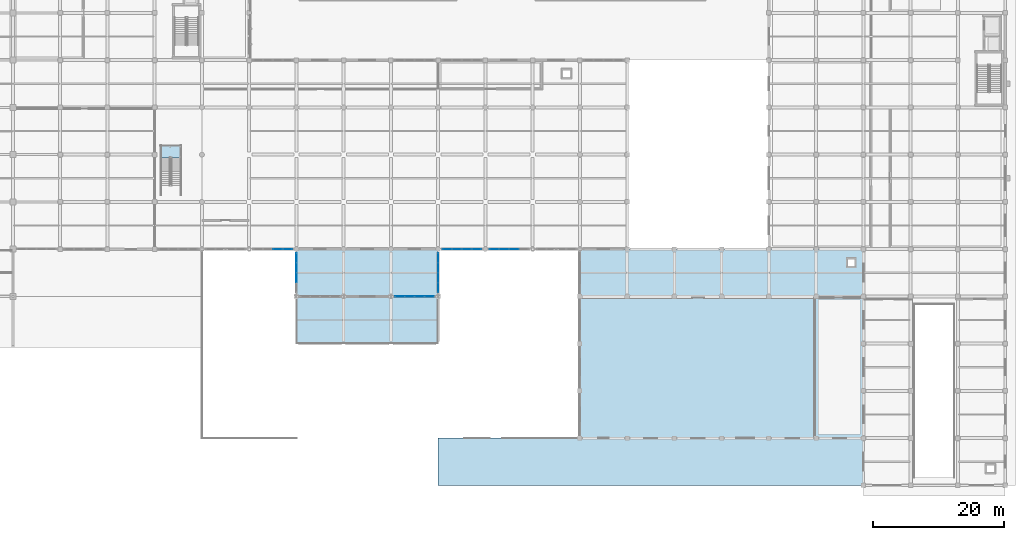
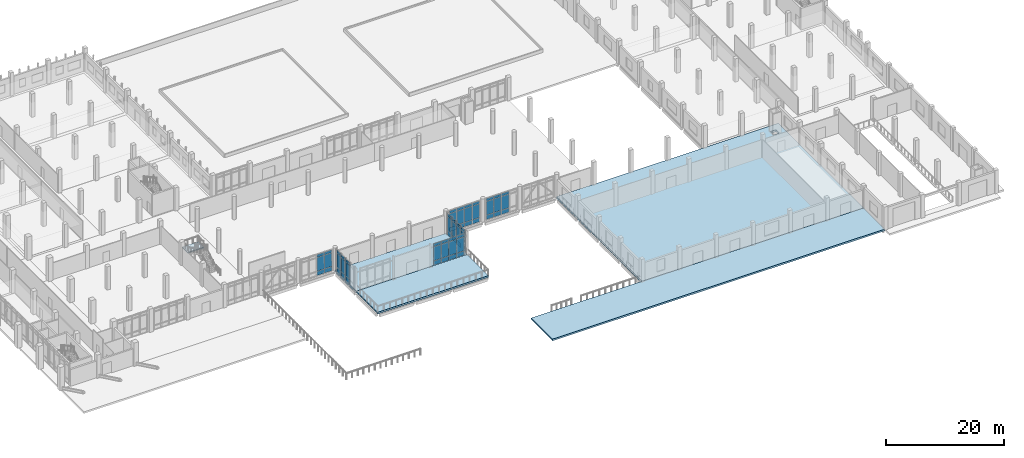
# One storey, part 29 of 59: 60 plates, 5 slabs, 7 elements without a shape of their own.
"""IFC4 building model written with IfcOpenShell, lengths in metres."""

from ifc_helpers import new_model, si_unit, direction, frame, origin, origin_2d, place, context, subcontext, project, spatial, polyline, rectangle, outline, extrude, material, layer, layer_set, type_object, element, aggregate, save


model = new_model("IFC4")

# Units and contexts
model_context = context("Model", 3, precision=1e-05, world=origin(), true_north=direction((0.0, 1.0)))
body_context = subcontext(model_context, "Body", "Model", "MODEL_VIEW")
ifc_project = project(units=[si_unit("LENGTHUNIT", "METRE"), si_unit("AREAUNIT", "SQUARE_METRE"), si_unit("VOLUMEUNIT", "CUBIC_METRE"), si_unit("PLANEANGLEUNIT", "RADIAN"), si_unit("MASSUNIT", "GRAM", prefix="KILO")], contexts=[model_context])

# Site, building, storey
site_placement = place(None, origin())
site = spatial("IfcSite", under=ifc_project, at=site_placement, CompositionType="ELEMENT")
building_placement = place(site_placement, origin())
building = spatial("IfcBuilding", under=site, at=building_placement, Name="Valkovuoma Quantum and Materials Research Institute", CompositionType="ELEMENT")
storey_placement = place(building_placement, origin())
storey = spatial("IfcBuildingStorey", under=building, at=storey_placement, Name="L00", CompositionType="ELEMENT", Elevation=0.0)

# Curtain wall, plates
ifc_material_1 = material(Name="Thermally broken aluminium and triple low-E glazing", Category="aluminium")
ifc_layer_1 = layer(ifc_material_1, 0.219970703125)
ifc_layer_set_1 = layer_set([ifc_layer_1], Name="Thermally broken aluminium and triple low-E glazing")
curtain_wall_type_1 = type_object("IfcCurtainWallType", Name="CW-CW-04", PredefinedType="NOTDEFINED", material=ifc_layer_set_1)
curtain_wall_1_placement = place(storey_placement, origin())
curtain_wall_1 = element("IfcCurtainWall", 1, at=curtain_wall_1_placement, inside=storey, type_object=curtain_wall_type_1, Name="L00 curtain wall 144", PredefinedType="NOTDEFINED")
ifc_material_2 = material(Name="Triple low-E argon insulating glass", Category="glass")
ifc_layer_2 = layer(ifc_material_2, 0.035888671875)
ifc_layer_set_2 = layer_set([ifc_layer_2], Name="Triple low-E argon insulating glass")
plate_type_1 = type_object("IfcPlateType", Name="CWPanel-CWP-01", PredefinedType="CURTAIN_PANEL", material=ifc_layer_set_2)
plate_1_placement = place(storey_placement, frame((73.351318359375, 28.800048828125, 0.06494140625), z_axis=(0.0, 0.0, 1.0), x_axis=(1.0, 0.0, 0.0)))
plate_1 = element("IfcPlate", 2, at=plate_1_placement, type_object=plate_type_1, Name="CW-04 panel 1.1", PredefinedType="CURTAIN_PANEL", context=body_context, shape_type="SweptSolid", body=[
    extrude(rectangle(XDim=1.41259765625, YDim=0.035888671875, at=origin_2d()), origin(), (0.0, 0.0, 1.0), 0.8525390625),
])
plate_2_placement = place(storey_placement, frame((73.351318359375, 28.800048828125, 0.982421875), z_axis=(0.0, 0.0, 1.0), x_axis=(1.0, 0.0, 0.0)))
plate_2 = element("IfcPlate", 3, at=plate_2_placement, type_object=plate_type_1, Name="CW-04 panel 1.2", PredefinedType="CURTAIN_PANEL", context=body_context, shape_type="SweptSolid", body=[
    extrude(rectangle(XDim=1.41259765625, YDim=0.035888671875, at=origin_2d()), origin(), (0.0, 0.0, 1.0), 2.885009765625),
])
plate_3_placement = place(storey_placement, frame((73.351318359375, 28.800048828125, 3.9326171875), z_axis=(0.0, 0.0, 1.0), x_axis=(1.0, 0.0, 0.0)))
plate_3 = element("IfcPlate", 4, at=plate_3_placement, type_object=plate_type_1, Name="CW-04 panel 1.3", PredefinedType="CURTAIN_PANEL", context=body_context, shape_type="SweptSolid", body=[
    extrude(rectangle(XDim=1.41259765625, YDim=0.035888671875, at=origin_2d()), origin(), (0.0, 0.0, 1.0), 0.552490234375),
])
plate_4_placement = place(storey_placement, frame((74.844970703125, 28.800048828125, 0.06494140625), z_axis=(0.0, 0.0, 1.0), x_axis=(1.0, 0.0, 0.0)))
plate_4 = element("IfcPlate", 5, at=plate_4_placement, type_object=plate_type_1, Name="CW-04 panel 2.1", PredefinedType="CURTAIN_PANEL", context=body_context, shape_type="SweptSolid", body=[
    extrude(rectangle(XDim=1.445068359375, YDim=0.035888671875, at=origin_2d()), origin(), (0.0, 0.0, 1.0), 0.8525390625),
])
plate_5_placement = place(storey_placement, frame((74.844970703125, 28.800048828125, 0.982421875), z_axis=(0.0, 0.0, 1.0), x_axis=(1.0, 0.0, 0.0)))
plate_5 = element("IfcPlate", 6, at=plate_5_placement, type_object=plate_type_1, Name="CW-04 panel 2.2", PredefinedType="CURTAIN_PANEL", context=body_context, shape_type="SweptSolid", body=[
    extrude(rectangle(XDim=1.445068359375, YDim=0.035888671875, at=origin_2d()), origin(), (0.0, 0.0, 1.0), 2.885009765625),
])
plate_6_placement = place(storey_placement, frame((74.844970703125, 28.800048828125, 3.9326171875), z_axis=(0.0, 0.0, 1.0), x_axis=(1.0, 0.0, 0.0)))
plate_6 = element("IfcPlate", 7, at=plate_6_placement, type_object=plate_type_1, Name="CW-04 panel 2.3", PredefinedType="CURTAIN_PANEL", context=body_context, shape_type="SweptSolid", body=[
    extrude(rectangle(XDim=1.445068359375, YDim=0.035888671875, at=origin_2d()), origin(), (0.0, 0.0, 1.0), 0.552490234375),
])
plate_7_placement = place(storey_placement, frame((76.35498046875, 28.800048828125, 0.06494140625), z_axis=(0.0, 0.0, 1.0), x_axis=(1.0, 0.0, 0.0)))
plate_7 = element("IfcPlate", 8, at=plate_7_placement, type_object=plate_type_1, Name="CW-04 panel 3.1", PredefinedType="CURTAIN_PANEL", context=body_context, shape_type="SweptSolid", body=[
    extrude(rectangle(XDim=1.445068359375, YDim=0.035888671875, at=origin_2d()), origin(), (0.0, 0.0, 1.0), 0.8525390625),
])
plate_8_placement = place(storey_placement, frame((76.35498046875, 28.800048828125, 0.982421875), z_axis=(0.0, 0.0, 1.0), x_axis=(1.0, 0.0, 0.0)))
plate_8 = element("IfcPlate", 9, at=plate_8_placement, type_object=plate_type_1, Name="CW-04 panel 3.2", PredefinedType="CURTAIN_PANEL", context=body_context, shape_type="SweptSolid", body=[
    extrude(rectangle(XDim=1.445068359375, YDim=0.035888671875, at=origin_2d()), origin(), (0.0, 0.0, 1.0), 2.885009765625),
])
plate_9_placement = place(storey_placement, frame((76.35498046875, 28.800048828125, 3.9326171875), z_axis=(0.0, 0.0, 1.0), x_axis=(1.0, 0.0, 0.0)))
plate_9 = element("IfcPlate", 10, at=plate_9_placement, type_object=plate_type_1, Name="CW-04 panel 3.3", PredefinedType="CURTAIN_PANEL", context=body_context, shape_type="SweptSolid", body=[
    extrude(rectangle(XDim=1.445068359375, YDim=0.035888671875, at=origin_2d()), origin(), (0.0, 0.0, 1.0), 0.552490234375),
])
plate_10_placement = place(storey_placement, frame((77.8486328125, 28.800048828125, 0.06494140625), z_axis=(0.0, 0.0, 1.0), x_axis=(1.0, 0.0, 0.0)))
plate_10 = element("IfcPlate", 11, at=plate_10_placement, type_object=plate_type_1, Name="CW-04 panel 4.1", PredefinedType="CURTAIN_PANEL", context=body_context, shape_type="SweptSolid", body=[
    extrude(rectangle(XDim=1.41259765625, YDim=0.035888671875, at=origin_2d()), origin(), (0.0, 0.0, 1.0), 0.8525390625),
])
plate_11_placement = place(storey_placement, frame((77.8486328125, 28.800048828125, 0.982421875), z_axis=(0.0, 0.0, 1.0), x_axis=(1.0, 0.0, 0.0)))
plate_11 = element("IfcPlate", 12, at=plate_11_placement, type_object=plate_type_1, Name="CW-04 panel 4.2", PredefinedType="CURTAIN_PANEL", context=body_context, shape_type="SweptSolid", body=[
    extrude(rectangle(XDim=1.41259765625, YDim=0.035888671875, at=origin_2d()), origin(), (0.0, 0.0, 1.0), 2.885009765625),
])
plate_12_placement = place(storey_placement, frame((77.8486328125, 28.800048828125, 3.9326171875), z_axis=(0.0, 0.0, 1.0), x_axis=(1.0, 0.0, 0.0)))
plate_12 = element("IfcPlate", 13, at=plate_12_placement, type_object=plate_type_1, Name="CW-04 panel 4.3", PredefinedType="CURTAIN_PANEL", context=body_context, shape_type="SweptSolid", body=[
    extrude(rectangle(XDim=1.41259765625, YDim=0.035888671875, at=origin_2d()), origin(), (0.0, 0.0, 1.0), 0.552490234375),
])
aggregate(curtain_wall_1, [plate_1, plate_2, plate_3, plate_4, plate_5, plate_6, plate_7, plate_8, plate_9, plate_10, plate_11, plate_12])

curtain_wall_2_placement = place(storey_placement, origin())
curtain_wall_2 = element("IfcCurtainWall", 14, at=curtain_wall_2_placement, inside=storey, type_object=curtain_wall_type_1, Name="L00 curtain wall 145", PredefinedType="NOTDEFINED")
plate_13_placement = place(storey_placement, frame((57.60009765625, 31.64501953125, 0.06494140625), z_axis=(0.0, 0.0, 1.0), x_axis=(0.0, 1.0, 0.0)))
plate_13 = element("IfcPlate", 15, at=plate_13_placement, type_object=plate_type_1, Name="CW-04 panel 2.1", PredefinedType="CURTAIN_PANEL", context=body_context, shape_type="SweptSolid", body=[
    extrude(rectangle(XDim=1.445068359375, YDim=0.035888671875, at=origin_2d()), origin(), (0.0, 0.0, 1.0), 0.8525390625),
])
plate_14_placement = place(storey_placement, frame((57.60009765625, 31.64501953125, 0.982421875), z_axis=(0.0, 0.0, 1.0), x_axis=(0.0, 1.0, 0.0)))
plate_14 = element("IfcPlate", 16, at=plate_14_placement, type_object=plate_type_1, Name="CW-04 panel 2.2", PredefinedType="CURTAIN_PANEL", context=body_context, shape_type="SweptSolid", body=[
    extrude(rectangle(XDim=1.445068359375, YDim=0.035888671875, at=origin_2d()), origin(), (0.0, 0.0, 1.0), 2.885009765625),
])
plate_15_placement = place(storey_placement, frame((57.60009765625, 31.64501953125, 3.9326171875), z_axis=(0.0, 0.0, 1.0), x_axis=(0.0, 1.0, 0.0)))
plate_15 = element("IfcPlate", 17, at=plate_15_placement, type_object=plate_type_1, Name="CW-04 panel 2.3", PredefinedType="CURTAIN_PANEL", context=body_context, shape_type="SweptSolid", body=[
    extrude(rectangle(XDim=1.445068359375, YDim=0.035888671875, at=origin_2d()), origin(), (0.0, 0.0, 1.0), 0.552490234375),
])
plate_16_placement = place(storey_placement, frame((57.60009765625, 33.155029296875, 0.06494140625), z_axis=(0.0, 0.0, 1.0), x_axis=(0.0, 1.0, 0.0)))
plate_16 = element("IfcPlate", 18, at=plate_16_placement, type_object=plate_type_1, Name="CW-04 panel 3.1", PredefinedType="CURTAIN_PANEL", context=body_context, shape_type="SweptSolid", body=[
    extrude(rectangle(XDim=1.445068359375, YDim=0.035888671875, at=origin_2d()), origin(), (0.0, 0.0, 1.0), 0.8525390625),
])
plate_17_placement = place(storey_placement, frame((57.60009765625, 33.155029296875, 0.982421875), z_axis=(0.0, 0.0, 1.0), x_axis=(0.0, 1.0, 0.0)))
plate_17 = element("IfcPlate", 19, at=plate_17_placement, type_object=plate_type_1, Name="CW-04 panel 3.2", PredefinedType="CURTAIN_PANEL", context=body_context, shape_type="SweptSolid", body=[
    extrude(rectangle(XDim=1.445068359375, YDim=0.035888671875, at=origin_2d()), origin(), (0.0, 0.0, 1.0), 2.885009765625),
])
plate_18_placement = place(storey_placement, frame((57.60009765625, 33.155029296875, 3.9326171875), z_axis=(0.0, 0.0, 1.0), x_axis=(0.0, 1.0, 0.0)))
plate_18 = element("IfcPlate", 20, at=plate_18_placement, type_object=plate_type_1, Name="CW-04 panel 3.3", PredefinedType="CURTAIN_PANEL", context=body_context, shape_type="SweptSolid", body=[
    extrude(rectangle(XDim=1.445068359375, YDim=0.035888671875, at=origin_2d()), origin(), (0.0, 0.0, 1.0), 0.552490234375),
])
plate_19_placement = place(storey_placement, frame((57.60009765625, 34.648681640625, 0.06494140625), z_axis=(0.0, 0.0, 1.0), x_axis=(0.0, 1.0, 0.0)))
plate_19 = element("IfcPlate", 21, at=plate_19_placement, type_object=plate_type_1, Name="CW-04 panel 4.1", PredefinedType="CURTAIN_PANEL", context=body_context, shape_type="SweptSolid", body=[
    extrude(rectangle(XDim=1.41259765625, YDim=0.035888671875, at=origin_2d()), origin(), (0.0, 0.0, 1.0), 0.8525390625),
])
plate_20_placement = place(storey_placement, frame((57.60009765625, 34.648681640625, 0.982421875), z_axis=(0.0, 0.0, 1.0), x_axis=(0.0, 1.0, 0.0)))
plate_20 = element("IfcPlate", 22, at=plate_20_placement, type_object=plate_type_1, Name="CW-04 panel 4.2", PredefinedType="CURTAIN_PANEL", context=body_context, shape_type="SweptSolid", body=[
    extrude(rectangle(XDim=1.41259765625, YDim=0.035888671875, at=origin_2d()), origin(), (0.0, 0.0, 1.0), 2.885009765625),
])
plate_21_placement = place(storey_placement, frame((57.60009765625, 34.648681640625, 3.9326171875), z_axis=(0.0, 0.0, 1.0), x_axis=(0.0, 1.0, 0.0)))
plate_21 = element("IfcPlate", 23, at=plate_21_placement, type_object=plate_type_1, Name="CW-04 panel 4.3", PredefinedType="CURTAIN_PANEL", context=body_context, shape_type="SweptSolid", body=[
    extrude(rectangle(XDim=1.41259765625, YDim=0.035888671875, at=origin_2d()), origin(), (0.0, 0.0, 1.0), 0.552490234375),
])
aggregate(curtain_wall_2, [plate_13, plate_14, plate_15, plate_16, plate_17, plate_18, plate_19, plate_20, plate_21])

curtain_wall_3_placement = place(storey_placement, origin())
curtain_wall_3 = element("IfcCurtainWall", 24, at=curtain_wall_3_placement, inside=storey, type_object=curtain_wall_type_1, Name="L00 curtain wall 146", PredefinedType="NOTDEFINED")
plate_22_placement = place(storey_placement, frame((79.199951171875, 30.1513671875, 0.06494140625), z_axis=(0.0, 0.0, 1.0), x_axis=(0.0, 1.0, 0.0)))
plate_22 = element("IfcPlate", 25, at=plate_22_placement, type_object=plate_type_1, Name="CW-04 panel 1.1", PredefinedType="CURTAIN_PANEL", context=body_context, shape_type="SweptSolid", body=[
    extrude(rectangle(XDim=1.41259765625, YDim=0.035888671875, at=origin_2d()), origin(), (0.0, 0.0, 1.0), 0.8525390625),
])
plate_23_placement = place(storey_placement, frame((79.199951171875, 30.1513671875, 0.982421875), z_axis=(0.0, 0.0, 1.0), x_axis=(0.0, 1.0, 0.0)))
plate_23 = element("IfcPlate", 26, at=plate_23_placement, type_object=plate_type_1, Name="CW-04 panel 1.2", PredefinedType="CURTAIN_PANEL", context=body_context, shape_type="SweptSolid", body=[
    extrude(rectangle(XDim=1.41259765625, YDim=0.035888671875, at=origin_2d()), origin(), (0.0, 0.0, 1.0), 2.885009765625),
])
plate_24_placement = place(storey_placement, frame((79.199951171875, 30.1513671875, 3.9326171875), z_axis=(0.0, 0.0, 1.0), x_axis=(0.0, 1.0, 0.0)))
plate_24 = element("IfcPlate", 27, at=plate_24_placement, type_object=plate_type_1, Name="CW-04 panel 1.3", PredefinedType="CURTAIN_PANEL", context=body_context, shape_type="SweptSolid", body=[
    extrude(rectangle(XDim=1.41259765625, YDim=0.035888671875, at=origin_2d()), origin(), (0.0, 0.0, 1.0), 0.552490234375),
])
plate_25_placement = place(storey_placement, frame((79.199951171875, 31.64501953125, 0.06494140625), z_axis=(0.0, 0.0, 1.0), x_axis=(0.0, 1.0, 0.0)))
plate_25 = element("IfcPlate", 28, at=plate_25_placement, type_object=plate_type_1, Name="CW-04 panel 2.1", PredefinedType="CURTAIN_PANEL", context=body_context, shape_type="SweptSolid", body=[
    extrude(rectangle(XDim=1.445068359375, YDim=0.035888671875, at=origin_2d()), origin(), (0.0, 0.0, 1.0), 0.8525390625),
])
plate_26_placement = place(storey_placement, frame((79.199951171875, 31.64501953125, 0.982421875), z_axis=(0.0, 0.0, 1.0), x_axis=(0.0, 1.0, 0.0)))
plate_26 = element("IfcPlate", 29, at=plate_26_placement, type_object=plate_type_1, Name="CW-04 panel 2.2", PredefinedType="CURTAIN_PANEL", context=body_context, shape_type="SweptSolid", body=[
    extrude(rectangle(XDim=1.445068359375, YDim=0.035888671875, at=origin_2d()), origin(), (0.0, 0.0, 1.0), 2.885009765625),
])
plate_27_placement = place(storey_placement, frame((79.199951171875, 31.64501953125, 3.9326171875), z_axis=(0.0, 0.0, 1.0), x_axis=(0.0, 1.0, 0.0)))
plate_27 = element("IfcPlate", 30, at=plate_27_placement, type_object=plate_type_1, Name="CW-04 panel 2.3", PredefinedType="CURTAIN_PANEL", context=body_context, shape_type="SweptSolid", body=[
    extrude(rectangle(XDim=1.445068359375, YDim=0.035888671875, at=origin_2d()), origin(), (0.0, 0.0, 1.0), 0.552490234375),
])
plate_28_placement = place(storey_placement, frame((79.199951171875, 33.155029296875, 0.06494140625), z_axis=(0.0, 0.0, 1.0), x_axis=(0.0, 1.0, 0.0)))
plate_28 = element("IfcPlate", 31, at=plate_28_placement, type_object=plate_type_1, Name="CW-04 panel 3.1", PredefinedType="CURTAIN_PANEL", context=body_context, shape_type="SweptSolid", body=[
    extrude(rectangle(XDim=1.445068359375, YDim=0.035888671875, at=origin_2d()), origin(), (0.0, 0.0, 1.0), 0.8525390625),
])
plate_29_placement = place(storey_placement, frame((79.199951171875, 33.155029296875, 0.982421875), z_axis=(0.0, 0.0, 1.0), x_axis=(0.0, 1.0, 0.0)))
plate_29 = element("IfcPlate", 32, at=plate_29_placement, type_object=plate_type_1, Name="CW-04 panel 3.2", PredefinedType="CURTAIN_PANEL", context=body_context, shape_type="SweptSolid", body=[
    extrude(rectangle(XDim=1.445068359375, YDim=0.035888671875, at=origin_2d()), origin(), (0.0, 0.0, 1.0), 2.885009765625),
])
plate_30_placement = place(storey_placement, frame((79.199951171875, 33.155029296875, 3.9326171875), z_axis=(0.0, 0.0, 1.0), x_axis=(0.0, 1.0, 0.0)))
plate_30 = element("IfcPlate", 33, at=plate_30_placement, type_object=plate_type_1, Name="CW-04 panel 3.3", PredefinedType="CURTAIN_PANEL", context=body_context, shape_type="SweptSolid", body=[
    extrude(rectangle(XDim=1.445068359375, YDim=0.035888671875, at=origin_2d()), origin(), (0.0, 0.0, 1.0), 0.552490234375),
])
plate_31_placement = place(storey_placement, frame((79.199951171875, 34.648681640625, 0.06494140625), z_axis=(0.0, 0.0, 1.0), x_axis=(0.0, 1.0, 0.0)))
plate_31 = element("IfcPlate", 34, at=plate_31_placement, type_object=plate_type_1, Name="CW-04 panel 4.1", PredefinedType="CURTAIN_PANEL", context=body_context, shape_type="SweptSolid", body=[
    extrude(rectangle(XDim=1.41259765625, YDim=0.035888671875, at=origin_2d()), origin(), (0.0, 0.0, 1.0), 0.8525390625),
])
plate_32_placement = place(storey_placement, frame((79.199951171875, 34.648681640625, 0.982421875), z_axis=(0.0, 0.0, 1.0), x_axis=(0.0, 1.0, 0.0)))
plate_32 = element("IfcPlate", 35, at=plate_32_placement, type_object=plate_type_1, Name="CW-04 panel 4.2", PredefinedType="CURTAIN_PANEL", context=body_context, shape_type="SweptSolid", body=[
    extrude(rectangle(XDim=1.41259765625, YDim=0.035888671875, at=origin_2d()), origin(), (0.0, 0.0, 1.0), 2.885009765625),
])
plate_33_placement = place(storey_placement, frame((79.199951171875, 34.648681640625, 3.9326171875), z_axis=(0.0, 0.0, 1.0), x_axis=(0.0, 1.0, 0.0)))
plate_33 = element("IfcPlate", 36, at=plate_33_placement, type_object=plate_type_1, Name="CW-04 panel 4.3", PredefinedType="CURTAIN_PANEL", context=body_context, shape_type="SweptSolid", body=[
    extrude(rectangle(XDim=1.41259765625, YDim=0.035888671875, at=origin_2d()), origin(), (0.0, 0.0, 1.0), 0.552490234375),
])
aggregate(curtain_wall_3, [plate_22, plate_23, plate_24, plate_25, plate_26, plate_27, plate_28, plate_29, plate_30, plate_31, plate_32, plate_33])

ifc_material_3 = material(Name="Thermally broken aluminium and triple low-E glazing", Category="aluminium")
ifc_layer_3 = layer(ifc_material_3, 0.219970703125)
ifc_layer_set_3 = layer_set([ifc_layer_3], Name="Thermally broken aluminium and triple low-E glazing")
curtain_wall_type_2 = type_object("IfcCurtainWallType", Name="CW-CW-02", PredefinedType="NOTDEFINED", material=ifc_layer_set_3)
curtain_wall_4_placement = place(storey_placement, origin())
curtain_wall_4 = element("IfcCurtainWall", 37, at=curtain_wall_4_placement, inside=storey, type_object=curtain_wall_type_2, Name="L00 curtain wall 151", PredefinedType="NOTDEFINED")
ifc_material_4 = material(Name="Triple low-E argon insulating glass", Category="glass")
ifc_layer_4 = layer(ifc_material_4, 0.048095703125)
ifc_layer_set_4 = layer_set([ifc_layer_4], Name="Triple low-E argon insulating glass")
plate_type_2 = type_object("IfcPlateType", Name="CWPanel-CWP-03", PredefinedType="CURTAIN_PANEL", material=ifc_layer_set_4)
plate_34_placement = place(storey_placement, frame((54.7548828125, 36.0, 0.074951171875), z_axis=(0.0, 0.0, 1.0), x_axis=(1.0, 0.0, 0.0)))
plate_34 = element("IfcPlate", 38, at=plate_34_placement, type_object=plate_type_2, Name="CW-02 panel 3.1", PredefinedType="CURTAIN_PANEL", context=body_context, shape_type="SweptSolid", body=[
    extrude(rectangle(XDim=1.429931640625, YDim=0.048095703125, at=origin_2d()), origin(), (0.0, 0.0, 1.0), 0.83740234375),
])
plate_35_placement = place(storey_placement, frame((54.7548828125, 36.0, 0.987548828125), z_axis=(0.0, 0.0, 1.0), x_axis=(1.0, 0.0, 0.0)))
plate_35 = element("IfcPlate", 39, at=plate_35_placement, type_object=plate_type_2, Name="CW-02 panel 3.2", PredefinedType="CURTAIN_PANEL", context=body_context, shape_type="SweptSolid", body=[
    extrude(rectangle(XDim=1.429931640625, YDim=0.048095703125, at=origin_2d()), origin(), (0.0, 0.0, 1.0), 2.77490234375),
])
plate_36_placement = place(storey_placement, frame((54.7548828125, 36.0, 3.83740234375), z_axis=(0.0, 0.0, 1.0), x_axis=(1.0, 0.0, 0.0)))
plate_36 = element("IfcPlate", 40, at=plate_36_placement, type_object=plate_type_2, Name="CW-02 panel 3.3", PredefinedType="CURTAIN_PANEL", context=body_context, shape_type="SweptSolid", body=[
    extrude(rectangle(XDim=1.429931640625, YDim=0.048095703125, at=origin_2d()), origin(), (0.0, 0.0, 1.0), 0.53759765625),
])
plate_37_placement = place(storey_placement, frame((56.2451171875, 36.0, 0.074951171875), z_axis=(0.0, 0.0, 1.0), x_axis=(1.0, 0.0, 0.0)))
plate_37 = element("IfcPlate", 41, at=plate_37_placement, type_object=plate_type_2, Name="CW-02 panel 4.1", PredefinedType="CURTAIN_PANEL", context=body_context, shape_type="SweptSolid", body=[
    extrude(rectangle(XDim=1.389892578125, YDim=0.048095703125, at=origin_2d()), origin(), (0.0, 0.0, 1.0), 0.83740234375),
])
plate_38_placement = place(storey_placement, frame((56.2451171875, 36.0, 0.987548828125), z_axis=(0.0, 0.0, 1.0), x_axis=(1.0, 0.0, 0.0)))
plate_38 = element("IfcPlate", 42, at=plate_38_placement, type_object=plate_type_2, Name="CW-02 panel 4.2", PredefinedType="CURTAIN_PANEL", context=body_context, shape_type="SweptSolid", body=[
    extrude(rectangle(XDim=1.389892578125, YDim=0.048095703125, at=origin_2d()), origin(), (0.0, 0.0, 1.0), 2.77490234375),
])
plate_39_placement = place(storey_placement, frame((56.2451171875, 36.0, 3.83740234375), z_axis=(0.0, 0.0, 1.0), x_axis=(1.0, 0.0, 0.0)))
plate_39 = element("IfcPlate", 43, at=plate_39_placement, type_object=plate_type_2, Name="CW-02 panel 4.3", PredefinedType="CURTAIN_PANEL", context=body_context, shape_type="SweptSolid", body=[
    extrude(rectangle(XDim=1.389892578125, YDim=0.048095703125, at=origin_2d()), origin(), (0.0, 0.0, 1.0), 0.53759765625),
])
aggregate(curtain_wall_4, [plate_34, plate_35, plate_36, plate_37, plate_38, plate_39])

curtain_wall_5_placement = place(storey_placement, origin())
curtain_wall_5 = element("IfcCurtainWall", 44, at=curtain_wall_5_placement, inside=storey, type_object=curtain_wall_type_2, Name="L00 curtain wall 152", PredefinedType="NOTDEFINED")
plate_40_placement = place(storey_placement, frame((80.554931640625, 36.0, 0.074951171875), z_axis=(0.0, 0.0, 1.0), x_axis=(1.0, 0.0, 0.0)))
plate_40 = element("IfcPlate", 45, at=plate_40_placement, type_object=plate_type_2, Name="CW-02 panel 1.1", PredefinedType="CURTAIN_PANEL", context=body_context, shape_type="SweptSolid", body=[
    extrude(rectangle(XDim=1.389892578125, YDim=0.048095703125, at=origin_2d()), origin(), (0.0, 0.0, 1.0), 0.83740234375),
])
plate_41_placement = place(storey_placement, frame((80.554931640625, 36.0, 0.987548828125), z_axis=(0.0, 0.0, 1.0), x_axis=(1.0, 0.0, 0.0)))
plate_41 = element("IfcPlate", 46, at=plate_41_placement, type_object=plate_type_2, Name="CW-02 panel 1.2", PredefinedType="CURTAIN_PANEL", context=body_context, shape_type="SweptSolid", body=[
    extrude(rectangle(XDim=1.389892578125, YDim=0.048095703125, at=origin_2d()), origin(), (0.0, 0.0, 1.0), 2.77490234375),
])
plate_42_placement = place(storey_placement, frame((80.554931640625, 36.0, 3.83740234375), z_axis=(0.0, 0.0, 1.0), x_axis=(1.0, 0.0, 0.0)))
plate_42 = element("IfcPlate", 47, at=plate_42_placement, type_object=plate_type_2, Name="CW-02 panel 1.3", PredefinedType="CURTAIN_PANEL", context=body_context, shape_type="SweptSolid", body=[
    extrude(rectangle(XDim=1.389892578125, YDim=0.048095703125, at=origin_2d()), origin(), (0.0, 0.0, 1.0), 0.53759765625),
])
plate_43_placement = place(storey_placement, frame((82.044921875, 36.0, 0.074951171875), z_axis=(0.0, 0.0, 1.0), x_axis=(1.0, 0.0, 0.0)))
plate_43 = element("IfcPlate", 48, at=plate_43_placement, type_object=plate_type_2, Name="CW-02 panel 2.1", PredefinedType="CURTAIN_PANEL", context=body_context, shape_type="SweptSolid", body=[
    extrude(rectangle(XDim=1.429931640625, YDim=0.048095703125, at=origin_2d()), origin(), (0.0, 0.0, 1.0), 0.83740234375),
])
plate_44_placement = place(storey_placement, frame((82.044921875, 36.0, 0.987548828125), z_axis=(0.0, 0.0, 1.0), x_axis=(1.0, 0.0, 0.0)))
plate_44 = element("IfcPlate", 49, at=plate_44_placement, type_object=plate_type_2, Name="CW-02 panel 2.2", PredefinedType="CURTAIN_PANEL", context=body_context, shape_type="SweptSolid", body=[
    extrude(rectangle(XDim=1.429931640625, YDim=0.048095703125, at=origin_2d()), origin(), (0.0, 0.0, 1.0), 2.77490234375),
])
plate_45_placement = place(storey_placement, frame((82.044921875, 36.0, 3.83740234375), z_axis=(0.0, 0.0, 1.0), x_axis=(1.0, 0.0, 0.0)))
plate_45 = element("IfcPlate", 50, at=plate_45_placement, type_object=plate_type_2, Name="CW-02 panel 2.3", PredefinedType="CURTAIN_PANEL", context=body_context, shape_type="SweptSolid", body=[
    extrude(rectangle(XDim=1.429931640625, YDim=0.048095703125, at=origin_2d()), origin(), (0.0, 0.0, 1.0), 0.53759765625),
])
plate_46_placement = place(storey_placement, frame((83.554931640625, 36.0, 0.074951171875), z_axis=(0.0, 0.0, 1.0), x_axis=(1.0, 0.0, 0.0)))
plate_46 = element("IfcPlate", 51, at=plate_46_placement, type_object=plate_type_2, Name="CW-02 panel 3.1", PredefinedType="CURTAIN_PANEL", context=body_context, shape_type="SweptSolid", body=[
    extrude(rectangle(XDim=1.429931640625, YDim=0.048095703125, at=origin_2d()), origin(), (0.0, 0.0, 1.0), 0.83740234375),
])
plate_47_placement = place(storey_placement, frame((83.554931640625, 36.0, 0.987548828125), z_axis=(0.0, 0.0, 1.0), x_axis=(1.0, 0.0, 0.0)))
plate_47 = element("IfcPlate", 52, at=plate_47_placement, type_object=plate_type_2, Name="CW-02 panel 3.2", PredefinedType="CURTAIN_PANEL", context=body_context, shape_type="SweptSolid", body=[
    extrude(rectangle(XDim=1.429931640625, YDim=0.048095703125, at=origin_2d()), origin(), (0.0, 0.0, 1.0), 2.77490234375),
])
plate_48_placement = place(storey_placement, frame((83.554931640625, 36.0, 3.83740234375), z_axis=(0.0, 0.0, 1.0), x_axis=(1.0, 0.0, 0.0)))
plate_48 = element("IfcPlate", 53, at=plate_48_placement, type_object=plate_type_2, Name="CW-02 panel 3.3", PredefinedType="CURTAIN_PANEL", context=body_context, shape_type="SweptSolid", body=[
    extrude(rectangle(XDim=1.429931640625, YDim=0.048095703125, at=origin_2d()), origin(), (0.0, 0.0, 1.0), 0.53759765625),
])
plate_49_placement = place(storey_placement, frame((85.044921875, 36.0, 0.074951171875), z_axis=(0.0, 0.0, 1.0), x_axis=(1.0, 0.0, 0.0)))
plate_49 = element("IfcPlate", 54, at=plate_49_placement, type_object=plate_type_2, Name="CW-02 panel 4.1", PredefinedType="CURTAIN_PANEL", context=body_context, shape_type="SweptSolid", body=[
    extrude(rectangle(XDim=1.389892578125, YDim=0.048095703125, at=origin_2d()), origin(), (0.0, 0.0, 1.0), 0.83740234375),
])
plate_50_placement = place(storey_placement, frame((85.044921875, 36.0, 0.987548828125), z_axis=(0.0, 0.0, 1.0), x_axis=(1.0, 0.0, 0.0)))
plate_50 = element("IfcPlate", 55, at=plate_50_placement, type_object=plate_type_2, Name="CW-02 panel 4.2", PredefinedType="CURTAIN_PANEL", context=body_context, shape_type="SweptSolid", body=[
    extrude(rectangle(XDim=1.389892578125, YDim=0.048095703125, at=origin_2d()), origin(), (0.0, 0.0, 1.0), 2.77490234375),
])
plate_51_placement = place(storey_placement, frame((85.044921875, 36.0, 3.83740234375), z_axis=(0.0, 0.0, 1.0), x_axis=(1.0, 0.0, 0.0)))
plate_51 = element("IfcPlate", 56, at=plate_51_placement, type_object=plate_type_2, Name="CW-02 panel 4.3", PredefinedType="CURTAIN_PANEL", context=body_context, shape_type="SweptSolid", body=[
    extrude(rectangle(XDim=1.389892578125, YDim=0.048095703125, at=origin_2d()), origin(), (0.0, 0.0, 1.0), 0.53759765625),
])
aggregate(curtain_wall_5, [plate_40, plate_41, plate_42, plate_43, plate_44, plate_45, plate_46, plate_47, plate_48, plate_49, plate_50, plate_51])

curtain_wall_6_placement = place(storey_placement, origin())
curtain_wall_6 = element("IfcCurtainWall", 57, at=curtain_wall_6_placement, inside=storey, type_object=curtain_wall_type_2, Name="L00 curtain wall 153", PredefinedType="NOTDEFINED")
plate_52_placement = place(storey_placement, frame((87.7548828125, 36.0, 0.074951171875), z_axis=(0.0, 0.0, 1.0), x_axis=(1.0, 0.0, 0.0)))
plate_52 = element("IfcPlate", 58, at=plate_52_placement, type_object=plate_type_2, Name="CW-02 panel 1.1", PredefinedType="CURTAIN_PANEL", context=body_context, shape_type="SweptSolid", body=[
    extrude(rectangle(XDim=1.389892578125, YDim=0.048095703125, at=origin_2d()), origin(), (0.0, 0.0, 1.0), 0.83740234375),
])
plate_53_placement = place(storey_placement, frame((87.7548828125, 36.0, 0.987548828125), z_axis=(0.0, 0.0, 1.0), x_axis=(1.0, 0.0, 0.0)))
plate_53 = element("IfcPlate", 59, at=plate_53_placement, type_object=plate_type_2, Name="CW-02 panel 1.2", PredefinedType="CURTAIN_PANEL", context=body_context, shape_type="SweptSolid", body=[
    extrude(rectangle(XDim=1.389892578125, YDim=0.048095703125, at=origin_2d()), origin(), (0.0, 0.0, 1.0), 2.77490234375),
])
plate_54_placement = place(storey_placement, frame((87.7548828125, 36.0, 3.83740234375), z_axis=(0.0, 0.0, 1.0), x_axis=(1.0, 0.0, 0.0)))
plate_54 = element("IfcPlate", 60, at=plate_54_placement, type_object=plate_type_2, Name="CW-02 panel 1.3", PredefinedType="CURTAIN_PANEL", context=body_context, shape_type="SweptSolid", body=[
    extrude(rectangle(XDim=1.389892578125, YDim=0.048095703125, at=origin_2d()), origin(), (0.0, 0.0, 1.0), 0.53759765625),
])
plate_55_placement = place(storey_placement, frame((89.2451171875, 36.0, 0.074951171875), z_axis=(0.0, 0.0, 1.0), x_axis=(1.0, 0.0, 0.0)))
plate_55 = element("IfcPlate", 61, at=plate_55_placement, type_object=plate_type_2, Name="CW-02 panel 2.1", PredefinedType="CURTAIN_PANEL", context=body_context, shape_type="SweptSolid", body=[
    extrude(rectangle(XDim=1.429931640625, YDim=0.048095703125, at=origin_2d()), origin(), (0.0, 0.0, 1.0), 0.83740234375),
])
plate_56_placement = place(storey_placement, frame((89.2451171875, 36.0, 0.987548828125), z_axis=(0.0, 0.0, 1.0), x_axis=(1.0, 0.0, 0.0)))
plate_56 = element("IfcPlate", 62, at=plate_56_placement, type_object=plate_type_2, Name="CW-02 panel 2.2", PredefinedType="CURTAIN_PANEL", context=body_context, shape_type="SweptSolid", body=[
    extrude(rectangle(XDim=1.429931640625, YDim=0.048095703125, at=origin_2d()), origin(), (0.0, 0.0, 1.0), 2.77490234375),
])
plate_57_placement = place(storey_placement, frame((89.2451171875, 36.0, 3.83740234375), z_axis=(0.0, 0.0, 1.0), x_axis=(1.0, 0.0, 0.0)))
plate_57 = element("IfcPlate", 63, at=plate_57_placement, type_object=plate_type_2, Name="CW-02 panel 2.3", PredefinedType="CURTAIN_PANEL", context=body_context, shape_type="SweptSolid", body=[
    extrude(rectangle(XDim=1.429931640625, YDim=0.048095703125, at=origin_2d()), origin(), (0.0, 0.0, 1.0), 0.53759765625),
])
plate_58_placement = place(storey_placement, frame((90.7548828125, 36.0, 0.074951171875), z_axis=(0.0, 0.0, 1.0), x_axis=(1.0, 0.0, 0.0)))
plate_58 = element("IfcPlate", 64, at=plate_58_placement, type_object=plate_type_2, Name="CW-02 panel 3.1", PredefinedType="CURTAIN_PANEL", context=body_context, shape_type="SweptSolid", body=[
    extrude(rectangle(XDim=1.429931640625, YDim=0.048095703125, at=origin_2d()), origin(), (0.0, 0.0, 1.0), 0.83740234375),
])
plate_59_placement = place(storey_placement, frame((90.7548828125, 36.0, 0.987548828125), z_axis=(0.0, 0.0, 1.0), x_axis=(1.0, 0.0, 0.0)))
plate_59 = element("IfcPlate", 65, at=plate_59_placement, type_object=plate_type_2, Name="CW-02 panel 3.2", PredefinedType="CURTAIN_PANEL", context=body_context, shape_type="SweptSolid", body=[
    extrude(rectangle(XDim=1.429931640625, YDim=0.048095703125, at=origin_2d()), origin(), (0.0, 0.0, 1.0), 2.77490234375),
])
plate_60_placement = place(storey_placement, frame((90.7548828125, 36.0, 3.83740234375), z_axis=(0.0, 0.0, 1.0), x_axis=(1.0, 0.0, 0.0)))
plate_60 = element("IfcPlate", 66, at=plate_60_placement, type_object=plate_type_2, Name="CW-02 panel 3.3", PredefinedType="CURTAIN_PANEL", context=body_context, shape_type="SweptSolid", body=[
    extrude(rectangle(XDim=1.429931640625, YDim=0.048095703125, at=origin_2d()), origin(), (0.0, 0.0, 1.0), 0.53759765625),
])
aggregate(curtain_wall_6, [plate_52, plate_53, plate_54, plate_55, plate_56, plate_57, plate_58, plate_59, plate_60])

# Slabs
ifc_material_5 = material(Name="Concrete C35/45", Category="concrete")
ifc_layer_5 = layer(ifc_material_5, 0.39990234375)
ifc_layer_set_5 = layer_set([ifc_layer_5], Name="Concrete C35/45")
slab_type_1 = type_object("IfcSlabType", Name="Slab-SL-BS400", PredefinedType="BASESLAB", material=ifc_layer_set_5)
slab_1_placement = place(storey_placement, frame((0.0, 0.0, -0.39990234375)))
element("IfcSlab", 67, at=slab_1_placement, inside=storey, type_object=slab_type_1, Name="L00 vol1_lecture structural slab 1", PredefinedType="BASESLAB", context=body_context, shape_type="SweptSolid", body=[
    extrude(outline(polyline([(100.800048828125, 7.199951171875), (144.0, 7.199951171875), (144.0, 36.0), (100.800048828125, 36.0), (100.800048828125, 7.199951171875)]), holes=[polyline([(141.60009765625, 33.39990234375), (142.699951171875, 33.39990234375), (142.699951171875, 34.5), (141.60009765625, 34.5), (141.60009765625, 33.39990234375)])]), origin(), (0.0, 0.0, 1.0), 0.39990234375),
])
slab_2_placement = place(storey_placement, frame((0.0, 0.0, -0.39990234375)))
element("IfcSlab", 68, at=slab_2_placement, inside=storey, type_object=slab_type_1, Name="L00 vol6_porch structural slab 1", PredefinedType="BASESLAB", context=body_context, shape_type="SweptSolid", body=[
    extrude(outline(polyline([(57.60009765625, 28.800048828125), (79.199951171875, 28.800048828125), (79.199951171875, 36.0), (57.60009765625, 36.0), (57.60009765625, 28.800048828125)])), origin(), (0.0, 0.0, 1.0), 0.39990234375),
])

# Stair, slab
ifc_material_6 = material(Name="Concrete C40/50", Category="concrete")
stair_type = type_object("IfcStairType", Name="Stair-ST-ATR", PredefinedType="HALF_TURN_STAIR", material=ifc_material_6)
stair_placement = place(storey_placement, origin())
stair = element("IfcStair", 69, at=stair_placement, inside=storey, type_object=stair_type, Name="L00 Atrium Stair ST-5", PredefinedType="HALF_TURN_STAIR")
ifc_material_7 = material(Name="Concrete C40/50", Category="concrete")
ifc_layer_6 = layer(ifc_material_7, 0.199951171875)
ifc_layer_set_6 = layer_set([ifc_layer_6], Name="Concrete C40/50")
slab_type_2 = type_object("IfcSlabType", Name="Slab-SL-LND200", PredefinedType="LANDING", material=ifc_layer_set_6)
slab_3_placement = place(storey_placement, frame((0.0, 0.0, 2.199951171875)))
slab_3 = element("IfcSlab", 70, at=slab_3_placement, type_object=slab_type_2, Name="ST-5 landing 1", PredefinedType="LANDING", context=body_context, shape_type="SweptSolid", body=[
    extrude(outline(polyline([(40.050048828125, 49.89990234375), (40.050048828125, 51.800048828125), (36.89990234375, 51.800048828125), (36.89990234375, 49.89990234375), (40.050048828125, 49.89990234375)])), origin(), (0.0, 0.0, 1.0), 0.199951171875),
])
aggregate(stair, [slab_3])

# Slabs
ifc_material_8 = material(Name="Concrete C40/50", Category="concrete")
ifc_layer_7 = layer(ifc_material_8, 0.35009765625)
ifc_layer_set_7 = layer_set([ifc_layer_7], Name="Concrete C40/50")
slab_type_3 = type_object("IfcSlabType", Name="Slab-SL-TER350", PredefinedType="FLOOR", material=ifc_layer_set_7)
slab_4_placement = place(storey_placement, frame((0.0, 0.0, -0.35009765625)))
element("IfcSlab", 71, at=slab_4_placement, inside=storey, type_object=slab_type_3, Name="L00 outdoor deck PLAZA_PORCH_BRIDGE", PredefinedType="FLOOR", context=body_context, shape_type="SweptSolid", body=[
    extrude(outline(polyline([(57.60009765625, 21.60009765625), (79.199951171875, 21.60009765625), (79.199951171875, 28.800048828125), (57.60009765625, 28.800048828125), (57.60009765625, 21.60009765625)])), origin(), (0.0, 0.0, 1.0), 0.35009765625),
])
slab_5_placement = place(storey_placement, frame((0.0, 0.0, -0.35009765625)))
element("IfcSlab", 72, at=slab_5_placement, inside=storey, type_object=slab_type_3, Name="L00 outdoor deck PLAZA_SE_APRON", PredefinedType="FLOOR", context=body_context, shape_type="SweptSolid", body=[
    extrude(outline(polyline([(79.199951171875, 0.0), (144.0, 0.0), (144.0, 7.199951171875), (79.199951171875, 7.199951171875), (79.199951171875, 0.0)])), origin(), (0.0, 0.0, 1.0), 0.35009765625),
])

save(model, "model.ifc")
